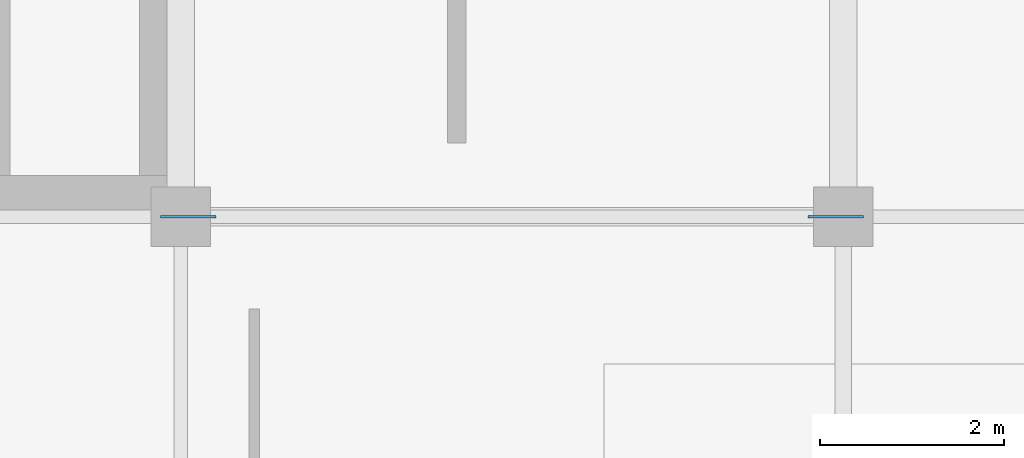
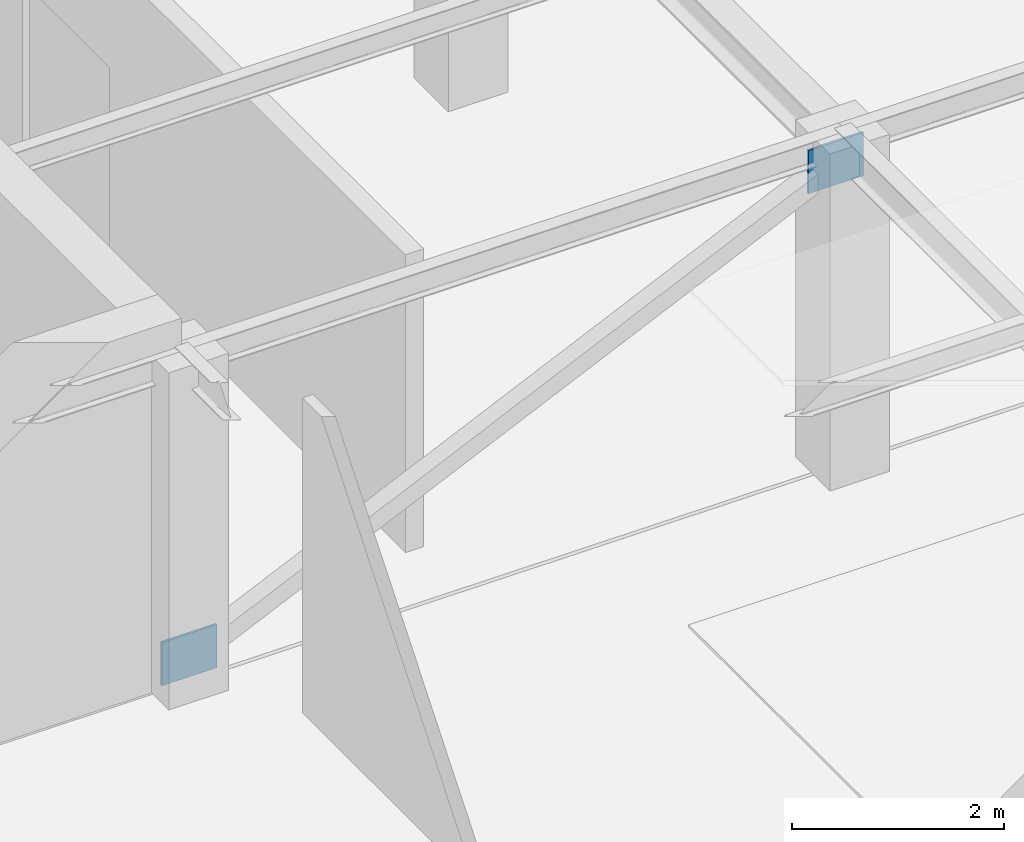
# One storey, part 54 of 64: 2 plates.
"""IFC4 building model written with IfcOpenShell, lengths in metres."""

from ifc_helpers import new_model, si_unit, direction, frame, origin, origin_2d, place, context, subcontext, project, spatial, rectangle, extrude, material, layer, layer_set, type_object, element, save


model = new_model("IFC4")

# Units and contexts
model_context = context("Model", 3, precision=1e-05, world=origin(), true_north=direction((0.0, 1.0)))
body_context = subcontext(model_context, "Body", "Model", "MODEL_VIEW")
ifc_project = project(units=[si_unit("LENGTHUNIT", "METRE"), si_unit("AREAUNIT", "SQUARE_METRE"), si_unit("VOLUMEUNIT", "CUBIC_METRE"), si_unit("PLANEANGLEUNIT", "RADIAN"), si_unit("MASSUNIT", "GRAM", prefix="KILO")], contexts=[model_context])

# Site, building, storey
site_placement = place(None, origin())
site = spatial("IfcSite", under=ifc_project, at=site_placement, CompositionType="ELEMENT")
building_placement = place(site_placement, origin())
building = spatial("IfcBuilding", under=site, at=building_placement, Name="Leyfeld Transit Interchange", CompositionType="ELEMENT")
storey_placement = place(building_placement, frame((0.0, 0.0, 9.60009765625)))
storey = spatial("IfcBuildingStorey", under=building, at=storey_placement, Name="L02", CompositionType="ELEMENT", Elevation=9.60009765625)

# Plates
ifc_material = material(Name="Steel S355J2", Category="steel")
ifc_layer = layer(ifc_material, 0.02490234375, Name="Steel S355J2")
ifc_layer_set = layer_set([ifc_layer], Name="Steel S355J2")
plate_type = type_object("IfcPlateType", Name="PLT-GUS-25", PredefinedType="SHEET", material=ifc_layer_set)
for number, where, z_axis, x_axis, name in (
    (1, (21.679931640625, 93.60009765625, 0.0498046875), (0.0, 0.0, 1.0), (1.0, 0.0, 0.0), "Bracing Lower Gusset 003"),
    (2, (28.719970703125, 93.60009765625, 3.25), (0.0, 0.0, 1.0), (1.0, 0.0, 0.0), "Bracing Upper Gusset 003"),
):
    element("IfcPlate", number, at=place(storey_placement, frame(where, z_axis=z_axis, x_axis=x_axis)), inside=storey, type_object=plate_type, Name=name, PredefinedType="SHEET", context=body_context, shape_type="SweptSolid", body=[
        extrude(rectangle(XDim=0.60009765625, YDim=0.02490234375, at=origin_2d()), origin(), (0.0, 0.0, 1.0), 0.5),
    ])

save(model, "model.ifc")
